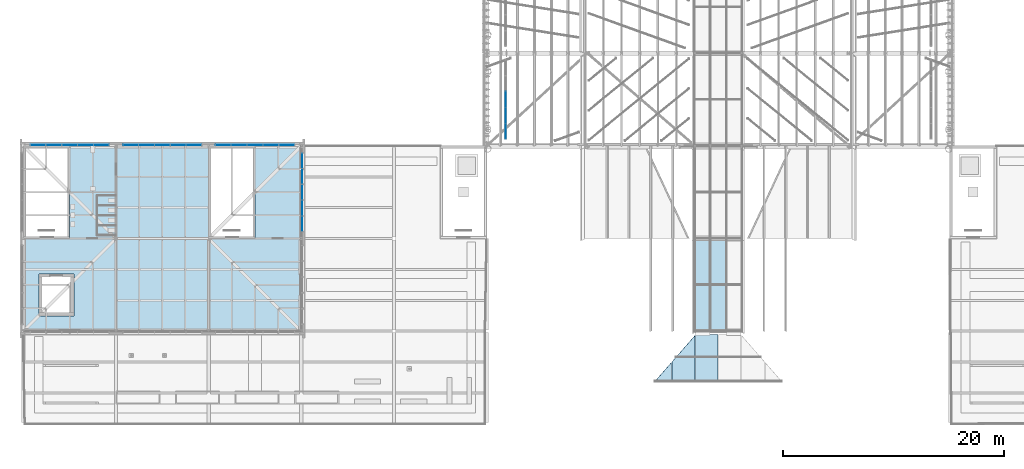
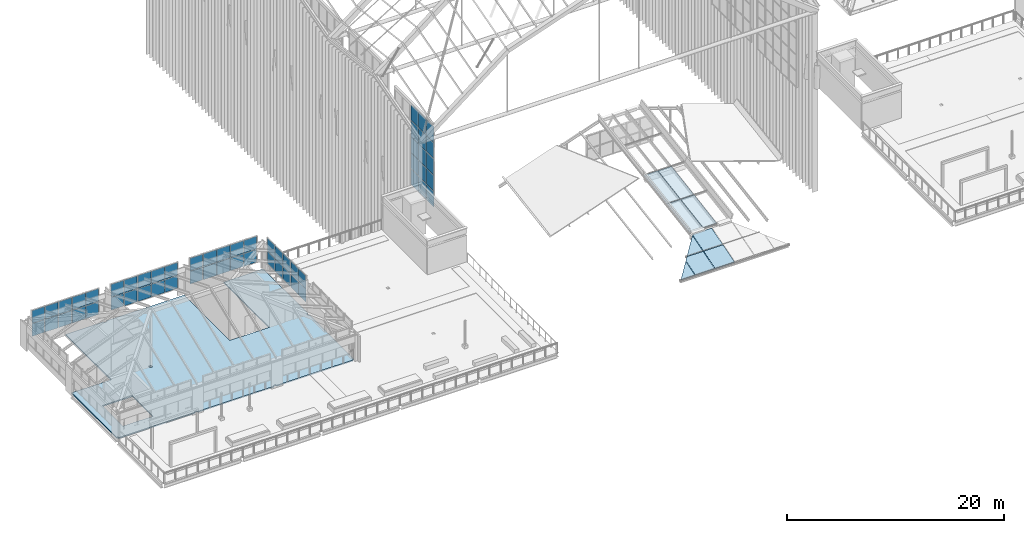
# One storey, part 70 of 126: 64 plates, 1 slab, 5 elements without a shape of their own.
"""IFC4 building model written with IfcOpenShell, lengths in metres."""

import ifcopenshell
import ifcopenshell.guid

model = None  # the IFC model being written
_history = None  # IfcOwnerHistory: only IFC2X3 demands one
_inside = {}  # id of a spatial element -> (the spatial element, [elements in it])
_under = {}  # id of a project, library or spatial element -> (it, [spatial elements below it])
_declared = {}  # id of a project -> (the project, [libraries it declares])
_typed = {}  # id of a type object -> (the type object, [elements of that type])
_made_of = {}  # id of a material, layer set ... -> (it, [elements and type objects made of it])


def new_model(schema):
    """Start an empty IFC model of exactly this schema.

    Asked for "IFC4X3", IfcOpenShell would pick the latest addendum, in which some entities
    have other attributes; the version numbers below select the first issue.
    IFC2X3 requires an IfcOwnerHistory on every rooted entity: one is made here for all.
    """
    global model, _history
    if schema == "IFC4X3":
        model = ifcopenshell.file(schema_version=(4, 3, 0, 0))
    else:
        model = ifcopenshell.file(schema=schema)
    _inside.clear()
    _under.clear()
    _declared.clear()
    _typed.clear()
    _made_of.clear()
    _history = None
    if model.schema == "IFC2X3":
        org = make("IfcOrganization", Name="unknown")
        user = make(
            "IfcPersonAndOrganization",
            ThePerson=make("IfcPerson", FamilyName="unknown"),
            TheOrganization=org,
        )
        app = make(
            "IfcApplication",
            ApplicationDeveloper=org,
            Version="unknown",
            ApplicationFullName="unknown",
            ApplicationIdentifier="unknown",
        )
        _history = make(
            "IfcOwnerHistory",
            OwningUser=user,
            OwningApplication=app,
            ChangeAction="ADDED",
            CreationDate=0,
        )
    return model


def make(cls, **values):
    """One entity of the class cls with the attributes given. An attribute that is None is left unset."""
    return model.create_entity(
        cls, **{name: value for name, value in values.items() if value is not None}
    )


def rooted(cls, **values):
    """An entity with a GlobalId (a new one), such as an element, a storey or a relation."""
    return make(cls, GlobalId=ifcopenshell.guid.new(), OwnerHistory=_history, **values)


def si_unit(unit_type, name, prefix=None):
    """IfcSIUnit, for example si_unit("LENGTHUNIT", "METRE", prefix="MILLI")."""
    return make("IfcSIUnit", UnitType=unit_type, Prefix=prefix, Name=name)


def assignment(units):
    """IfcUnitAssignment: the units of a project."""
    return None if units is None else make("IfcUnitAssignment", Units=units)


def point(xyz):
    """IfcCartesianPoint."""
    return None if xyz is None else make("IfcCartesianPoint", Coordinates=xyz)


def direction(xyz):
    """IfcDirection."""
    return None if xyz is None else make("IfcDirection", DirectionRatios=xyz)


def frame(location, z_axis=None, x_axis=None):
    """IfcAxis2Placement3D, a coordinate frame: its origin and axes. An axis left out is left unset."""
    return make(
        "IfcAxis2Placement3D",
        Location=point(location),
        Axis=direction(z_axis),
        RefDirection=direction(x_axis),
    )


def frame_2d(location, x_axis=None):
    """IfcAxis2Placement2D, a coordinate frame in the plane: its origin and x axis."""
    return make(
        "IfcAxis2Placement2D", Location=point(location), RefDirection=direction(x_axis)
    )


def origin():
    """The frame at (0, 0, 0) with its axes left unset."""
    return frame((0.0, 0.0, 0.0))


def origin_2d():
    """The frame at (0, 0) in the plane with its x axis left unset."""
    return frame_2d((0.0, 0.0))


def place(relative_to, where):
    """IfcLocalPlacement: puts the frame where relative to a parent placement (None: the world)."""
    return make(
        "IfcLocalPlacement", PlacementRelTo=relative_to, RelativePlacement=where
    )


def context(
    kind, dimensions, precision=None, world=None, true_north=None, identifier=None
):
    """IfcGeometricRepresentationContext, for example the 3D "Model" context."""
    return make(
        "IfcGeometricRepresentationContext",
        ContextIdentifier=identifier,
        ContextType=kind,
        CoordinateSpaceDimension=dimensions,
        Precision=precision,
        WorldCoordinateSystem=world,
        TrueNorth=true_north,
    )


def subcontext(parent, identifier, kind, view, scale=None):
    """IfcGeometricRepresentationSubContext, for example "Body" below "Model"."""
    return make(
        "IfcGeometricRepresentationSubContext",
        ContextIdentifier=identifier,
        ContextType=kind,
        ParentContext=parent,
        TargetScale=scale,
        TargetView=view,
    )


def project(units=None, contexts=None):
    """IfcProject with its units and contexts."""
    return rooted(
        "IfcProject",
        Name="project",
        RepresentationContexts=contexts,
        UnitsInContext=assignment(units),
    )


def spatial(cls, under=None, at=None, **own):
    """A site, building, storey or space (cls), placed at a placement, below another one or the project."""
    s = rooted(cls, ObjectPlacement=at, **own)
    if under is not None:
        _under.setdefault(under.id(), (under, []))[1].append(s)
    return s


def polyline(points):
    """IfcPolyline through the points."""
    return make("IfcPolyline", Points=[point(p) for p in points])


def profile(cls, at=None, kind="AREA", **sizes):
    """A parametric profile (cls). Its sizes go by their IFC names, for example OverallWidth=200.0."""
    return make(cls, ProfileType=kind, Position=at, **sizes)


def rectangle(**sizes):
    """IfcRectangleProfileDef."""
    return profile("IfcRectangleProfileDef", **sizes)


def outline(outer, holes=None, kind="AREA"):
    """IfcArbitraryClosedProfileDef: a profile drawn as a closed curve; with holes, ...WithVoids."""
    if holes is None:
        return make("IfcArbitraryClosedProfileDef", ProfileType=kind, OuterCurve=outer)
    return make(
        "IfcArbitraryProfileDefWithVoids",
        ProfileType=kind,
        OuterCurve=outer,
        InnerCurves=holes,
    )


def extrude(swept, where, along, depth):
    """IfcExtrudedAreaSolid: the profile swept, set in the frame where, extruded along a direction by depth."""
    return make(
        "IfcExtrudedAreaSolid",
        SweptArea=swept,
        Position=where,
        ExtrudedDirection=direction(along),
        Depth=depth,
    )


def shape(context_of_items, identifier, shape_type, items):
    """IfcShapeRepresentation: the items that make up one representation, for example the "Body"."""
    return make(
        "IfcShapeRepresentation",
        ContextOfItems=context_of_items,
        RepresentationIdentifier=identifier,
        RepresentationType=shape_type,
        Items=items,
    )


def material(Name=None, Category=None):
    """IfcMaterial."""
    return make("IfcMaterial", Name=Name, Category=Category)


def layer(
    of_material, thickness, ventilated=None, Name=None, Category=None, Priority=None
):
    """IfcMaterialLayer: one layer of a wall or slab, of a material (None: an air gap)."""
    return make(
        "IfcMaterialLayer",
        Material=of_material,
        LayerThickness=thickness,
        IsVentilated=ventilated,
        Name=Name,
        Category=Category,
        Priority=Priority,
    )


def layer_set(layers, Name=None):
    """IfcMaterialLayerSet."""
    return make("IfcMaterialLayerSet", MaterialLayers=layers, LayerSetName=Name)


def made_of(thing, what):
    """Note that an element or type object is made of a material, layer set ...; save() writes the relation."""
    if what is not None:
        _made_of.setdefault(what.id(), (what, []))[1].append(thing)
    return thing


def type_object(cls, material=None, **own):
    """A type object (cls), such as IfcWallType, which elements share."""
    return made_of(rooted(cls, **own), material)


def element(
    cls,
    number,
    at=None,
    inside=None,
    cuts=None,
    type_object=None,
    material=None,
    context=None,
    identifier="Body",
    shape_type=None,
    held_by="IfcProductDefinitionShape",
    body=None,
    shapes=None,
    **own,
):
    """One element of the class cls, such as IfcWall. Its Tag is "e" and its number.

    at: its placement. inside: the storey or other place that contains it. cuts: it is an
    opening in that element (IfcRelVoidsElement). A single representation is given by context,
    identifier, shape_type and body (its items); several are given by shapes. held_by: the class
    of the entity that holds the representations. save() writes the other relations.
    """
    e = rooted(cls, Tag="e%d" % number, ObjectPlacement=at, **own)
    if body is not None:
        shapes = [shape(context, identifier, shape_type, body)]
    if shapes is not None:
        e.Representation = make(held_by, Representations=shapes)
    if inside is not None:
        _inside.setdefault(inside.id(), (inside, []))[1].append(e)
    if cuts is not None:
        rooted(
            "IfcRelVoidsElement", RelatingBuildingElement=cuts, RelatedOpeningElement=e
        )
    if type_object is not None:
        _typed.setdefault(type_object.id(), (type_object, []))[1].append(e)
    return made_of(e, material)


def aggregate(whole, parts):
    """IfcRelAggregates: a whole, such as a stair, and the parts it consists of."""
    return rooted("IfcRelAggregates", RelatingObject=whole, RelatedObjects=parts)


def save(model, path):
    """Write the relations noted so far, then the file.

    IfcRelAggregates (storeys below a building ...), IfcRelContainedInSpatialStructure (elements
    in a storey), IfcRelDefinesByType, IfcRelAssociatesMaterial and IfcRelDeclares: one each for
    every whole, place, type object, material and project.
    """
    for whole, parts in _under.values():
        aggregate(whole, parts)
    for where, things in _inside.values():
        rooted(
            "IfcRelContainedInSpatialStructure",
            RelatedElements=things,
            RelatingStructure=where,
        )
    for kind, things in _typed.values():
        rooted("IfcRelDefinesByType", RelatedObjects=things, RelatingType=kind)
    for what, things in _made_of.values():
        rooted("IfcRelAssociatesMaterial", RelatedObjects=things, RelatingMaterial=what)
    for by, libraries in _declared.values():
        rooted("IfcRelDeclares", RelatingContext=by, RelatedDefinitions=libraries)
    model.write(path)


model = new_model("IFC4")

# Units and contexts
model_context = context("Model", 3, precision=1e-05, world=origin(), true_north=direction((0.0, 1.0)))
body_context = subcontext(model_context, "Body", "Model", "MODEL_VIEW")
ifc_project = project(units=[si_unit("LENGTHUNIT", "METRE"), si_unit("AREAUNIT", "SQUARE_METRE"), si_unit("VOLUMEUNIT", "CUBIC_METRE"), si_unit("PLANEANGLEUNIT", "RADIAN"), si_unit("MASSUNIT", "GRAM", prefix="KILO")], contexts=[model_context])

# Site, building, storey
site_placement = place(None, origin())
site = spatial("IfcSite", under=ifc_project, at=site_placement, CompositionType="ELEMENT")
building_placement = place(site_placement, origin())
building = spatial("IfcBuilding", under=site, at=building_placement, Name="Sava Quay Ferry Terminal", CompositionType="ELEMENT")
storey_placement = place(building_placement, frame((0.0, 0.0, 15.0)))
storey = spatial("IfcBuildingStorey", under=building, at=storey_placement, Name="L03", CompositionType="ELEMENT", Elevation=15.0)

# Slab
ifc_material_1 = material(Name="Concrete C30/37", Category="concrete")
ifc_layer_1 = layer(ifc_material_1, 0.1298828125)
ifc_layer_set_1 = layer_set([ifc_layer_1], Name="Concrete C30/37")
slab_type = type_object("IfcSlabType", Name="Composite floor slab 130", PredefinedType="FLOOR", material=ifc_layer_set_1)
slab_placement = place(storey_placement, frame((0.0, 0.0, -0.1298828125)))
element("IfcSlab", 1, at=slab_placement, inside=storey, type_object=slab_type, Name="W floor slab L03", PredefinedType="FLOOR", context=body_context, shape_type="SweptSolid", body=[
    extrude(outline(polyline([(25.06005859375, 33.739990234375), (25.06005859375, 33.60009765625), (16.93994140625, 33.60009765625), (16.93994140625, 33.739990234375), (16.659912109375, 33.739990234375), (16.659912109375, 33.60009765625), (8.5400390625, 33.60009765625), (8.5400390625, 33.739990234375), (8.260009765625, 33.739990234375), (8.260009765625, 33.60009765625), (0.139892578125, 33.60009765625), (0.139892578125, 33.739990234375), (0.0, 33.739990234375), (0.0, 42.0), (4.199951171875, 42.0), (4.199951171875, 50.39990234375), (8.260009765625, 50.39990234375), (8.260009765625, 50.260009765625), (8.5400390625, 50.260009765625), (8.5400390625, 50.39990234375), (16.800048828125, 50.39990234375), (16.800048828125, 42.0), (21.0, 42.0), (21.0, 50.39990234375), (25.06005859375, 50.39990234375), (25.06005859375, 50.260009765625), (25.199951171875, 50.260009765625), (25.199951171875, 42.139892578125), (25.06005859375, 42.139892578125), (25.06005859375, 41.860107421875), (25.199951171875, 41.860107421875), (25.199951171875, 33.739990234375), (25.06005859375, 33.739990234375)]), holes=[polyline([(1.39990234375, 35.0), (4.60009765625, 35.0), (4.60009765625, 38.800048828125), (1.39990234375, 38.800048828125), (1.39990234375, 35.0)]), polyline([(8.260009765625, 41.860107421875), (8.5400390625, 41.860107421875), (8.5400390625, 42.139892578125), (8.260009765625, 42.139892578125), (8.260009765625, 41.860107421875)])]), origin(), (0.0, 0.0, 1.0), 0.1298828125),
])

# Curtain wall, plates
ifc_material_2 = material(Name="Aluminium and glass curtain wall, double low-e glazed", Category="aluminium")
curtain_wall_type = type_object("IfcCurtainWallType", Name="Curtain wall CW-F flank", PredefinedType="NOTDEFINED", material=ifc_material_2)
curtain_wall_1_placement = place(storey_placement, origin())
curtain_wall_1 = element("IfcCurtainWall", 2, at=curtain_wall_1_placement, inside=storey, type_object=curtain_wall_type, Name="Curtain wall D-W L03 bay 1", PredefinedType="NOTDEFINED")
ifc_material_3 = material(Name="Laminated glass, double low-e glazed unit", Category="glass")
ifc_layer_2 = layer(ifc_material_3, 0.028076171875)
ifc_layer_set_2 = layer_set([ifc_layer_2], Name="Laminated glass, double low-e glazed unit")
plate_type_1 = type_object("IfcPlateType", Name="Glass panel 28 double low-e", PredefinedType="CURTAIN_PANEL", material=ifc_layer_set_2)
plate_1_placement = place(storey_placement, frame((43.72509765625, 51.735107421875, 0.050048828125), z_axis=(0.0, 0.0, 1.0), x_axis=(0.0, 1.0, 0.0)))
plate_1 = element("IfcPlate", 3, at=plate_1_placement, type_object=plate_type_1, Name="CW98 panel 1.1", PredefinedType="CURTAIN_PANEL", context=body_context, shape_type="SweptSolid", body=[
    extrude(rectangle(XDim=1.35009765625, YDim=0.028076171875, at=origin_2d()), origin(), (0.0, 0.0, 1.0), 1.7451171875),
])
plate_2_placement = place(storey_placement, frame((43.72509765625, 51.735107421875, 1.844970703125), z_axis=(0.0, 0.0, 1.0), x_axis=(0.0, 1.0, 0.0)))
plate_2 = element("IfcPlate", 4, at=plate_2_placement, type_object=plate_type_1, Name="CW98 panel 1.2", PredefinedType="CURTAIN_PANEL", context=body_context, shape_type="SweptSolid", body=[
    extrude(rectangle(XDim=1.35009765625, YDim=0.028076171875, at=origin_2d()), origin(), (0.0, 0.0, 1.0), 1.77001953125),
])
plate_3_placement = place(storey_placement, frame((43.72509765625, 51.735107421875, 3.6650390625), z_axis=(0.0, 0.0, 1.0), x_axis=(0.0, 1.0, 0.0)))
plate_3 = element("IfcPlate", 5, at=plate_3_placement, type_object=plate_type_1, Name="CW98 panel 1.3", PredefinedType="CURTAIN_PANEL", context=body_context, shape_type="SweptSolid", body=[
    extrude(rectangle(XDim=1.35009765625, YDim=0.028076171875, at=origin_2d()), origin(), (0.0, 0.0, 1.0), 1.77001953125),
])
plate_4_placement = place(storey_placement, frame((43.72509765625, 51.735107421875, 5.485107421875), z_axis=(0.0, 0.0, 1.0), x_axis=(0.0, 1.0, 0.0)))
plate_4 = element("IfcPlate", 6, at=plate_4_placement, type_object=plate_type_1, Name="CW98 panel 1.4", PredefinedType="CURTAIN_PANEL", context=body_context, shape_type="SweptSolid", body=[
    extrude(rectangle(XDim=1.35009765625, YDim=0.028076171875, at=origin_2d()), origin(), (0.0, 0.0, 1.0), 1.77001953125),
])
plate_5_placement = place(storey_placement, frame((43.72509765625, 51.735107421875, 7.304931640625), z_axis=(0.0, 0.0, 1.0), x_axis=(0.0, 1.0, 0.0)))
plate_5 = element("IfcPlate", 7, at=plate_5_placement, type_object=plate_type_1, Name="CW98 panel 1.5", PredefinedType="CURTAIN_PANEL", context=body_context, shape_type="SweptSolid", body=[
    extrude(rectangle(XDim=1.35009765625, YDim=0.028076171875, at=origin_2d()), origin(), (0.0, 0.0, 1.0), 1.7451171875),
])
plate_6_placement = place(storey_placement, frame((43.72509765625, 53.159912109375, 0.050048828125), z_axis=(0.0, 0.0, 1.0), x_axis=(0.0, 1.0, 0.0)))
plate_6 = element("IfcPlate", 8, at=plate_6_placement, type_object=plate_type_1, Name="CW98 panel 2.1", PredefinedType="CURTAIN_PANEL", context=body_context, shape_type="SweptSolid", body=[
    extrude(rectangle(XDim=1.3798828125, YDim=0.028076171875, at=origin_2d()), origin(), (0.0, 0.0, 1.0), 1.7451171875),
])
plate_7_placement = place(storey_placement, frame((43.72509765625, 53.159912109375, 1.844970703125), z_axis=(0.0, 0.0, 1.0), x_axis=(0.0, 1.0, 0.0)))
plate_7 = element("IfcPlate", 9, at=plate_7_placement, type_object=plate_type_1, Name="CW98 panel 2.2", PredefinedType="CURTAIN_PANEL", context=body_context, shape_type="SweptSolid", body=[
    extrude(rectangle(XDim=1.3798828125, YDim=0.028076171875, at=origin_2d()), origin(), (0.0, 0.0, 1.0), 1.77001953125),
])
plate_8_placement = place(storey_placement, frame((43.72509765625, 53.159912109375, 3.6650390625), z_axis=(0.0, 0.0, 1.0), x_axis=(0.0, 1.0, 0.0)))
plate_8 = element("IfcPlate", 10, at=plate_8_placement, type_object=plate_type_1, Name="CW98 panel 2.3", PredefinedType="CURTAIN_PANEL", context=body_context, shape_type="SweptSolid", body=[
    extrude(rectangle(XDim=1.3798828125, YDim=0.028076171875, at=origin_2d()), origin(), (0.0, 0.0, 1.0), 1.77001953125),
])
plate_9_placement = place(storey_placement, frame((43.72509765625, 53.159912109375, 5.485107421875), z_axis=(0.0, 0.0, 1.0), x_axis=(0.0, 1.0, 0.0)))
plate_9 = element("IfcPlate", 11, at=plate_9_placement, type_object=plate_type_1, Name="CW98 panel 2.4", PredefinedType="CURTAIN_PANEL", context=body_context, shape_type="SweptSolid", body=[
    extrude(rectangle(XDim=1.3798828125, YDim=0.028076171875, at=origin_2d()), origin(), (0.0, 0.0, 1.0), 1.77001953125),
])
plate_10_placement = place(storey_placement, frame((43.72509765625, 53.159912109375, 7.304931640625), z_axis=(0.0, 0.0, 1.0), x_axis=(0.0, 1.0, 0.0)))
plate_10 = element("IfcPlate", 12, at=plate_10_placement, type_object=plate_type_1, Name="CW98 panel 2.5", PredefinedType="CURTAIN_PANEL", context=body_context, shape_type="SweptSolid", body=[
    extrude(rectangle(XDim=1.3798828125, YDim=0.028076171875, at=origin_2d()), origin(), (0.0, 0.0, 1.0), 1.7451171875),
])
plate_11_placement = place(storey_placement, frame((43.72509765625, 54.60009765625, 0.050048828125), z_axis=(0.0, 0.0, 1.0), x_axis=(0.0, 1.0, 0.0)))
plate_11 = element("IfcPlate", 13, at=plate_11_placement, type_object=plate_type_1, Name="CW98 panel 3.1", PredefinedType="CURTAIN_PANEL", context=body_context, shape_type="SweptSolid", body=[
    extrude(rectangle(XDim=1.3798828125, YDim=0.028076171875, at=origin_2d()), origin(), (0.0, 0.0, 1.0), 1.7451171875),
])
plate_12_placement = place(storey_placement, frame((43.72509765625, 54.60009765625, 1.844970703125), z_axis=(0.0, 0.0, 1.0), x_axis=(0.0, 1.0, 0.0)))
plate_12 = element("IfcPlate", 14, at=plate_12_placement, type_object=plate_type_1, Name="CW98 panel 3.2", PredefinedType="CURTAIN_PANEL", context=body_context, shape_type="SweptSolid", body=[
    extrude(rectangle(XDim=1.3798828125, YDim=0.028076171875, at=origin_2d()), origin(), (0.0, 0.0, 1.0), 1.77001953125),
])
plate_13_placement = place(storey_placement, frame((43.72509765625, 54.60009765625, 3.6650390625), z_axis=(0.0, 0.0, 1.0), x_axis=(0.0, 1.0, 0.0)))
plate_13 = element("IfcPlate", 15, at=plate_13_placement, type_object=plate_type_1, Name="CW98 panel 3.3", PredefinedType="CURTAIN_PANEL", context=body_context, shape_type="SweptSolid", body=[
    extrude(rectangle(XDim=1.3798828125, YDim=0.028076171875, at=origin_2d()), origin(), (0.0, 0.0, 1.0), 1.77001953125),
])
plate_14_placement = place(storey_placement, frame((43.72509765625, 54.60009765625, 5.485107421875), z_axis=(0.0, 0.0, 1.0), x_axis=(0.0, 1.0, 0.0)))
plate_14 = element("IfcPlate", 16, at=plate_14_placement, type_object=plate_type_1, Name="CW98 panel 3.4", PredefinedType="CURTAIN_PANEL", context=body_context, shape_type="SweptSolid", body=[
    extrude(rectangle(XDim=1.3798828125, YDim=0.028076171875, at=origin_2d()), origin(), (0.0, 0.0, 1.0), 1.77001953125),
])
plate_15_placement = place(storey_placement, frame((43.72509765625, 54.60009765625, 7.304931640625), z_axis=(0.0, 0.0, 1.0), x_axis=(0.0, 1.0, 0.0)))
plate_15 = element("IfcPlate", 17, at=plate_15_placement, type_object=plate_type_1, Name="CW98 panel 3.5", PredefinedType="CURTAIN_PANEL", context=body_context, shape_type="SweptSolid", body=[
    extrude(rectangle(XDim=1.3798828125, YDim=0.028076171875, at=origin_2d()), origin(), (0.0, 0.0, 1.0), 1.7451171875),
])
aggregate(curtain_wall_1, [plate_1, plate_2, plate_3, plate_4, plate_5, plate_6, plate_7, plate_8, plate_9, plate_10, plate_11, plate_12, plate_13, plate_14, plate_15])

curtain_wall_2_placement = place(storey_placement, origin())
curtain_wall_2 = element("IfcCurtainWall", 18, at=curtain_wall_2_placement, inside=storey, type_object=curtain_wall_type, Name="Curtain wall W-PAV-E L03 bay 2", PredefinedType="NOTDEFINED")
plate_16_placement = place(storey_placement, frame((25.284912109375, 43.3349609375, 0.9501953125), z_axis=(0.0, 0.0, 1.0), x_axis=(0.0, 1.0, 0.0)))
plate_16 = element("IfcPlate", 19, at=plate_16_placement, type_object=plate_type_1, Name="CW122 panel 1.1", PredefinedType="CURTAIN_PANEL", context=body_context, shape_type="SweptSolid", body=[
    extrude(rectangle(XDim=1.35009765625, YDim=0.028076171875, at=origin_2d()), origin(), (0.0, 0.0, 1.0), 1.425048828125),
])
plate_17_placement = place(storey_placement, frame((25.284912109375, 43.3349609375, 2.4248046875), z_axis=(0.0, 0.0, 1.0), x_axis=(0.0, 1.0, 0.0)))
plate_17 = element("IfcPlate", 20, at=plate_17_placement, type_object=plate_type_1, Name="CW122 panel 1.2", PredefinedType="CURTAIN_PANEL", context=body_context, shape_type="SweptSolid", body=[
    extrude(rectangle(XDim=1.35009765625, YDim=0.028076171875, at=origin_2d()), origin(), (0.0, 0.0, 1.0), 1.425048828125),
])
plate_18_placement = place(storey_placement, frame((25.284912109375, 44.760009765625, 0.9501953125), z_axis=(0.0, 0.0, 1.0), x_axis=(0.0, 1.0, 0.0)))
plate_18 = element("IfcPlate", 21, at=plate_18_placement, type_object=plate_type_1, Name="CW122 panel 2.1", PredefinedType="CURTAIN_PANEL", context=body_context, shape_type="SweptSolid", body=[
    extrude(rectangle(XDim=1.3798828125, YDim=0.028076171875, at=origin_2d()), origin(), (0.0, 0.0, 1.0), 1.425048828125),
])
plate_19_placement = place(storey_placement, frame((25.284912109375, 44.760009765625, 2.4248046875), z_axis=(0.0, 0.0, 1.0), x_axis=(0.0, 1.0, 0.0)))
plate_19 = element("IfcPlate", 22, at=plate_19_placement, type_object=plate_type_1, Name="CW122 panel 2.2", PredefinedType="CURTAIN_PANEL", context=body_context, shape_type="SweptSolid", body=[
    extrude(rectangle(XDim=1.3798828125, YDim=0.028076171875, at=origin_2d()), origin(), (0.0, 0.0, 1.0), 1.425048828125),
])
plate_20_placement = place(storey_placement, frame((25.284912109375, 46.199951171875, 0.9501953125), z_axis=(0.0, 0.0, 1.0), x_axis=(0.0, 1.0, 0.0)))
plate_20 = element("IfcPlate", 23, at=plate_20_placement, type_object=plate_type_1, Name="CW122 panel 3.1", PredefinedType="CURTAIN_PANEL", context=body_context, shape_type="SweptSolid", body=[
    extrude(rectangle(XDim=1.3798828125, YDim=0.028076171875, at=origin_2d()), origin(), (0.0, 0.0, 1.0), 1.425048828125),
])
plate_21_placement = place(storey_placement, frame((25.284912109375, 46.199951171875, 2.4248046875), z_axis=(0.0, 0.0, 1.0), x_axis=(0.0, 1.0, 0.0)))
plate_21 = element("IfcPlate", 24, at=plate_21_placement, type_object=plate_type_1, Name="CW122 panel 3.2", PredefinedType="CURTAIN_PANEL", context=body_context, shape_type="SweptSolid", body=[
    extrude(rectangle(XDim=1.3798828125, YDim=0.028076171875, at=origin_2d()), origin(), (0.0, 0.0, 1.0), 1.425048828125),
])
plate_22_placement = place(storey_placement, frame((25.284912109375, 47.639892578125, 0.9501953125), z_axis=(0.0, 0.0, 1.0), x_axis=(0.0, 1.0, 0.0)))
plate_22 = element("IfcPlate", 25, at=plate_22_placement, type_object=plate_type_1, Name="CW122 panel 4.1", PredefinedType="CURTAIN_PANEL", context=body_context, shape_type="SweptSolid", body=[
    extrude(rectangle(XDim=1.3798828125, YDim=0.028076171875, at=origin_2d()), origin(), (0.0, 0.0, 1.0), 1.425048828125),
])
plate_23_placement = place(storey_placement, frame((25.284912109375, 47.639892578125, 2.4248046875), z_axis=(0.0, 0.0, 1.0), x_axis=(0.0, 1.0, 0.0)))
plate_23 = element("IfcPlate", 26, at=plate_23_placement, type_object=plate_type_1, Name="CW122 panel 4.2", PredefinedType="CURTAIN_PANEL", context=body_context, shape_type="SweptSolid", body=[
    extrude(rectangle(XDim=1.3798828125, YDim=0.028076171875, at=origin_2d()), origin(), (0.0, 0.0, 1.0), 1.425048828125),
])
plate_24_placement = place(storey_placement, frame((25.284912109375, 49.06494140625, 0.9501953125), z_axis=(0.0, 0.0, 1.0), x_axis=(0.0, 1.0, 0.0)))
plate_24 = element("IfcPlate", 27, at=plate_24_placement, type_object=plate_type_1, Name="CW122 panel 5.1", PredefinedType="CURTAIN_PANEL", context=body_context, shape_type="SweptSolid", body=[
    extrude(rectangle(XDim=1.35009765625, YDim=0.028076171875, at=origin_2d()), origin(), (0.0, 0.0, 1.0), 1.425048828125),
])
plate_25_placement = place(storey_placement, frame((25.284912109375, 49.06494140625, 2.4248046875), z_axis=(0.0, 0.0, 1.0), x_axis=(0.0, 1.0, 0.0)))
plate_25 = element("IfcPlate", 28, at=plate_25_placement, type_object=plate_type_1, Name="CW122 panel 5.2", PredefinedType="CURTAIN_PANEL", context=body_context, shape_type="SweptSolid", body=[
    extrude(rectangle(XDim=1.35009765625, YDim=0.028076171875, at=origin_2d()), origin(), (0.0, 0.0, 1.0), 1.425048828125),
])
aggregate(curtain_wall_2, [plate_16, plate_17, plate_18, plate_19, plate_20, plate_21, plate_22, plate_23, plate_24, plate_25])

curtain_wall_3_placement = place(storey_placement, origin())
curtain_wall_3 = element("IfcCurtainWall", 29, at=curtain_wall_3_placement, inside=storey, type_object=curtain_wall_type, Name="Curtain wall W-PAV-N L03 bay 1", PredefinedType="NOTDEFINED")
plate_26_placement = place(storey_placement, frame((1.3349609375, 50.485107421875, 0.9501953125), z_axis=(0.0, 0.0, 1.0), x_axis=(1.0, 0.0, 0.0)))
plate_26 = element("IfcPlate", 30, at=plate_26_placement, type_object=plate_type_1, Name="CW123 panel 1.1", PredefinedType="CURTAIN_PANEL", context=body_context, shape_type="SweptSolid", body=[
    extrude(rectangle(XDim=1.35009765625, YDim=0.028076171875, at=origin_2d()), origin(), (0.0, 0.0, 1.0), 1.425048828125),
])
plate_27_placement = place(storey_placement, frame((1.3349609375, 50.485107421875, 2.4248046875), z_axis=(0.0, 0.0, 1.0), x_axis=(1.0, 0.0, 0.0)))
plate_27 = element("IfcPlate", 31, at=plate_27_placement, type_object=plate_type_1, Name="CW123 panel 1.2", PredefinedType="CURTAIN_PANEL", context=body_context, shape_type="SweptSolid", body=[
    extrude(rectangle(XDim=1.35009765625, YDim=0.028076171875, at=origin_2d()), origin(), (0.0, 0.0, 1.0), 1.425048828125),
])
plate_28_placement = place(storey_placement, frame((2.760009765625, 50.485107421875, 0.9501953125), z_axis=(0.0, 0.0, 1.0), x_axis=(1.0, 0.0, 0.0)))
plate_28 = element("IfcPlate", 32, at=plate_28_placement, type_object=plate_type_1, Name="CW123 panel 2.1", PredefinedType="CURTAIN_PANEL", context=body_context, shape_type="SweptSolid", body=[
    extrude(rectangle(XDim=1.3798828125, YDim=0.028076171875, at=origin_2d()), origin(), (0.0, 0.0, 1.0), 1.425048828125),
])
plate_29_placement = place(storey_placement, frame((2.760009765625, 50.485107421875, 2.4248046875), z_axis=(0.0, 0.0, 1.0), x_axis=(1.0, 0.0, 0.0)))
plate_29 = element("IfcPlate", 33, at=plate_29_placement, type_object=plate_type_1, Name="CW123 panel 2.2", PredefinedType="CURTAIN_PANEL", context=body_context, shape_type="SweptSolid", body=[
    extrude(rectangle(XDim=1.3798828125, YDim=0.028076171875, at=origin_2d()), origin(), (0.0, 0.0, 1.0), 1.425048828125),
])
plate_30_placement = place(storey_placement, frame((4.199951171875, 50.485107421875, 0.9501953125), z_axis=(0.0, 0.0, 1.0), x_axis=(1.0, 0.0, 0.0)))
plate_30 = element("IfcPlate", 34, at=plate_30_placement, type_object=plate_type_1, Name="CW123 panel 3.1", PredefinedType="CURTAIN_PANEL", context=body_context, shape_type="SweptSolid", body=[
    extrude(rectangle(XDim=1.3798828125, YDim=0.028076171875, at=origin_2d()), origin(), (0.0, 0.0, 1.0), 1.425048828125),
])
plate_31_placement = place(storey_placement, frame((4.199951171875, 50.485107421875, 2.4248046875), z_axis=(0.0, 0.0, 1.0), x_axis=(1.0, 0.0, 0.0)))
plate_31 = element("IfcPlate", 35, at=plate_31_placement, type_object=plate_type_1, Name="CW123 panel 3.2", PredefinedType="CURTAIN_PANEL", context=body_context, shape_type="SweptSolid", body=[
    extrude(rectangle(XDim=1.3798828125, YDim=0.028076171875, at=origin_2d()), origin(), (0.0, 0.0, 1.0), 1.425048828125),
])
plate_32_placement = place(storey_placement, frame((5.639892578125, 50.485107421875, 0.9501953125), z_axis=(0.0, 0.0, 1.0), x_axis=(1.0, 0.0, 0.0)))
plate_32 = element("IfcPlate", 36, at=plate_32_placement, type_object=plate_type_1, Name="CW123 panel 4.1", PredefinedType="CURTAIN_PANEL", context=body_context, shape_type="SweptSolid", body=[
    extrude(rectangle(XDim=1.3798828125, YDim=0.028076171875, at=origin_2d()), origin(), (0.0, 0.0, 1.0), 1.425048828125),
])
plate_33_placement = place(storey_placement, frame((5.639892578125, 50.485107421875, 2.4248046875), z_axis=(0.0, 0.0, 1.0), x_axis=(1.0, 0.0, 0.0)))
plate_33 = element("IfcPlate", 37, at=plate_33_placement, type_object=plate_type_1, Name="CW123 panel 4.2", PredefinedType="CURTAIN_PANEL", context=body_context, shape_type="SweptSolid", body=[
    extrude(rectangle(XDim=1.3798828125, YDim=0.028076171875, at=origin_2d()), origin(), (0.0, 0.0, 1.0), 1.425048828125),
])
plate_34_placement = place(storey_placement, frame((7.06494140625, 50.485107421875, 0.9501953125), z_axis=(0.0, 0.0, 1.0), x_axis=(1.0, 0.0, 0.0)))
plate_34 = element("IfcPlate", 38, at=plate_34_placement, type_object=plate_type_1, Name="CW123 panel 5.1", PredefinedType="CURTAIN_PANEL", context=body_context, shape_type="SweptSolid", body=[
    extrude(rectangle(XDim=1.35009765625, YDim=0.028076171875, at=origin_2d()), origin(), (0.0, 0.0, 1.0), 1.425048828125),
])
plate_35_placement = place(storey_placement, frame((7.06494140625, 50.485107421875, 2.4248046875), z_axis=(0.0, 0.0, 1.0), x_axis=(1.0, 0.0, 0.0)))
plate_35 = element("IfcPlate", 39, at=plate_35_placement, type_object=plate_type_1, Name="CW123 panel 5.2", PredefinedType="CURTAIN_PANEL", context=body_context, shape_type="SweptSolid", body=[
    extrude(rectangle(XDim=1.35009765625, YDim=0.028076171875, at=origin_2d()), origin(), (0.0, 0.0, 1.0), 1.425048828125),
])
aggregate(curtain_wall_3, [plate_26, plate_27, plate_28, plate_29, plate_30, plate_31, plate_32, plate_33, plate_34, plate_35])

curtain_wall_4_placement = place(storey_placement, origin())
curtain_wall_4 = element("IfcCurtainWall", 40, at=curtain_wall_4_placement, inside=storey, type_object=curtain_wall_type, Name="Curtain wall W-PAV-N L03 bay 2", PredefinedType="NOTDEFINED")
plate_36_placement = place(storey_placement, frame((9.735107421875, 50.485107421875, 0.9501953125), z_axis=(0.0, 0.0, 1.0), x_axis=(1.0, 0.0, 0.0)))
plate_36 = element("IfcPlate", 41, at=plate_36_placement, type_object=plate_type_1, Name="CW124 panel 1.1", PredefinedType="CURTAIN_PANEL", context=body_context, shape_type="SweptSolid", body=[
    extrude(rectangle(XDim=1.35009765625, YDim=0.028076171875, at=origin_2d()), origin(), (0.0, 0.0, 1.0), 1.425048828125),
])
plate_37_placement = place(storey_placement, frame((9.735107421875, 50.485107421875, 2.4248046875), z_axis=(0.0, 0.0, 1.0), x_axis=(1.0, 0.0, 0.0)))
plate_37 = element("IfcPlate", 42, at=plate_37_placement, type_object=plate_type_1, Name="CW124 panel 1.2", PredefinedType="CURTAIN_PANEL", context=body_context, shape_type="SweptSolid", body=[
    extrude(rectangle(XDim=1.35009765625, YDim=0.028076171875, at=origin_2d()), origin(), (0.0, 0.0, 1.0), 1.425048828125),
])
plate_38_placement = place(storey_placement, frame((11.159912109375, 50.485107421875, 0.9501953125), z_axis=(0.0, 0.0, 1.0), x_axis=(1.0, 0.0, 0.0)))
plate_38 = element("IfcPlate", 43, at=plate_38_placement, type_object=plate_type_1, Name="CW124 panel 2.1", PredefinedType="CURTAIN_PANEL", context=body_context, shape_type="SweptSolid", body=[
    extrude(rectangle(XDim=1.3798828125, YDim=0.028076171875, at=origin_2d()), origin(), (0.0, 0.0, 1.0), 1.425048828125),
])
plate_39_placement = place(storey_placement, frame((11.159912109375, 50.485107421875, 2.4248046875), z_axis=(0.0, 0.0, 1.0), x_axis=(1.0, 0.0, 0.0)))
plate_39 = element("IfcPlate", 44, at=plate_39_placement, type_object=plate_type_1, Name="CW124 panel 2.2", PredefinedType="CURTAIN_PANEL", context=body_context, shape_type="SweptSolid", body=[
    extrude(rectangle(XDim=1.3798828125, YDim=0.028076171875, at=origin_2d()), origin(), (0.0, 0.0, 1.0), 1.425048828125),
])
plate_40_placement = place(storey_placement, frame((12.60009765625, 50.485107421875, 0.9501953125), z_axis=(0.0, 0.0, 1.0), x_axis=(1.0, 0.0, 0.0)))
plate_40 = element("IfcPlate", 45, at=plate_40_placement, type_object=plate_type_1, Name="CW124 panel 3.1", PredefinedType="CURTAIN_PANEL", context=body_context, shape_type="SweptSolid", body=[
    extrude(rectangle(XDim=1.3798828125, YDim=0.028076171875, at=origin_2d()), origin(), (0.0, 0.0, 1.0), 1.425048828125),
])
plate_41_placement = place(storey_placement, frame((12.60009765625, 50.485107421875, 2.4248046875), z_axis=(0.0, 0.0, 1.0), x_axis=(1.0, 0.0, 0.0)))
plate_41 = element("IfcPlate", 46, at=plate_41_placement, type_object=plate_type_1, Name="CW124 panel 3.2", PredefinedType="CURTAIN_PANEL", context=body_context, shape_type="SweptSolid", body=[
    extrude(rectangle(XDim=1.3798828125, YDim=0.028076171875, at=origin_2d()), origin(), (0.0, 0.0, 1.0), 1.425048828125),
])
plate_42_placement = place(storey_placement, frame((14.0400390625, 50.485107421875, 0.9501953125), z_axis=(0.0, 0.0, 1.0), x_axis=(1.0, 0.0, 0.0)))
plate_42 = element("IfcPlate", 47, at=plate_42_placement, type_object=plate_type_1, Name="CW124 panel 4.1", PredefinedType="CURTAIN_PANEL", context=body_context, shape_type="SweptSolid", body=[
    extrude(rectangle(XDim=1.3798828125, YDim=0.028076171875, at=origin_2d()), origin(), (0.0, 0.0, 1.0), 1.425048828125),
])
plate_43_placement = place(storey_placement, frame((14.0400390625, 50.485107421875, 2.4248046875), z_axis=(0.0, 0.0, 1.0), x_axis=(1.0, 0.0, 0.0)))
plate_43 = element("IfcPlate", 48, at=plate_43_placement, type_object=plate_type_1, Name="CW124 panel 4.2", PredefinedType="CURTAIN_PANEL", context=body_context, shape_type="SweptSolid", body=[
    extrude(rectangle(XDim=1.3798828125, YDim=0.028076171875, at=origin_2d()), origin(), (0.0, 0.0, 1.0), 1.425048828125),
])
plate_44_placement = place(storey_placement, frame((15.465087890625, 50.485107421875, 0.9501953125), z_axis=(0.0, 0.0, 1.0), x_axis=(1.0, 0.0, 0.0)))
plate_44 = element("IfcPlate", 49, at=plate_44_placement, type_object=plate_type_1, Name="CW124 panel 5.1", PredefinedType="CURTAIN_PANEL", context=body_context, shape_type="SweptSolid", body=[
    extrude(rectangle(XDim=1.35009765625, YDim=0.028076171875, at=origin_2d()), origin(), (0.0, 0.0, 1.0), 1.425048828125),
])
plate_45_placement = place(storey_placement, frame((15.465087890625, 50.485107421875, 2.4248046875), z_axis=(0.0, 0.0, 1.0), x_axis=(1.0, 0.0, 0.0)))
plate_45 = element("IfcPlate", 50, at=plate_45_placement, type_object=plate_type_1, Name="CW124 panel 5.2", PredefinedType="CURTAIN_PANEL", context=body_context, shape_type="SweptSolid", body=[
    extrude(rectangle(XDim=1.35009765625, YDim=0.028076171875, at=origin_2d()), origin(), (0.0, 0.0, 1.0), 1.425048828125),
])
aggregate(curtain_wall_4, [plate_36, plate_37, plate_38, plate_39, plate_40, plate_41, plate_42, plate_43, plate_44, plate_45])

curtain_wall_5_placement = place(storey_placement, origin())
curtain_wall_5 = element("IfcCurtainWall", 51, at=curtain_wall_5_placement, inside=storey, type_object=curtain_wall_type, Name="Curtain wall W-PAV-N L03 bay 3", PredefinedType="NOTDEFINED")
plate_46_placement = place(storey_placement, frame((18.135009765625, 50.485107421875, 0.9501953125), z_axis=(0.0, 0.0, 1.0), x_axis=(1.0, 0.0, 0.0)))
plate_46 = element("IfcPlate", 52, at=plate_46_placement, type_object=plate_type_1, Name="CW125 panel 1.1", PredefinedType="CURTAIN_PANEL", context=body_context, shape_type="SweptSolid", body=[
    extrude(rectangle(XDim=1.35009765625, YDim=0.028076171875, at=origin_2d()), origin(), (0.0, 0.0, 1.0), 1.425048828125),
])
plate_47_placement = place(storey_placement, frame((18.135009765625, 50.485107421875, 2.4248046875), z_axis=(0.0, 0.0, 1.0), x_axis=(1.0, 0.0, 0.0)))
plate_47 = element("IfcPlate", 53, at=plate_47_placement, type_object=plate_type_1, Name="CW125 panel 1.2", PredefinedType="CURTAIN_PANEL", context=body_context, shape_type="SweptSolid", body=[
    extrude(rectangle(XDim=1.35009765625, YDim=0.028076171875, at=origin_2d()), origin(), (0.0, 0.0, 1.0), 1.425048828125),
])
plate_48_placement = place(storey_placement, frame((19.56005859375, 50.485107421875, 0.9501953125), z_axis=(0.0, 0.0, 1.0), x_axis=(1.0, 0.0, 0.0)))
plate_48 = element("IfcPlate", 54, at=plate_48_placement, type_object=plate_type_1, Name="CW125 panel 2.1", PredefinedType="CURTAIN_PANEL", context=body_context, shape_type="SweptSolid", body=[
    extrude(rectangle(XDim=1.3798828125, YDim=0.028076171875, at=origin_2d()), origin(), (0.0, 0.0, 1.0), 1.425048828125),
])
plate_49_placement = place(storey_placement, frame((19.56005859375, 50.485107421875, 2.4248046875), z_axis=(0.0, 0.0, 1.0), x_axis=(1.0, 0.0, 0.0)))
plate_49 = element("IfcPlate", 55, at=plate_49_placement, type_object=plate_type_1, Name="CW125 panel 2.2", PredefinedType="CURTAIN_PANEL", context=body_context, shape_type="SweptSolid", body=[
    extrude(rectangle(XDim=1.3798828125, YDim=0.028076171875, at=origin_2d()), origin(), (0.0, 0.0, 1.0), 1.425048828125),
])
plate_50_placement = place(storey_placement, frame((21.0, 50.485107421875, 0.9501953125), z_axis=(0.0, 0.0, 1.0), x_axis=(1.0, 0.0, 0.0)))
plate_50 = element("IfcPlate", 56, at=plate_50_placement, type_object=plate_type_1, Name="CW125 panel 3.1", PredefinedType="CURTAIN_PANEL", context=body_context, shape_type="SweptSolid", body=[
    extrude(rectangle(XDim=1.3798828125, YDim=0.028076171875, at=origin_2d()), origin(), (0.0, 0.0, 1.0), 1.425048828125),
])
plate_51_placement = place(storey_placement, frame((21.0, 50.485107421875, 2.4248046875), z_axis=(0.0, 0.0, 1.0), x_axis=(1.0, 0.0, 0.0)))
plate_51 = element("IfcPlate", 57, at=plate_51_placement, type_object=plate_type_1, Name="CW125 panel 3.2", PredefinedType="CURTAIN_PANEL", context=body_context, shape_type="SweptSolid", body=[
    extrude(rectangle(XDim=1.3798828125, YDim=0.028076171875, at=origin_2d()), origin(), (0.0, 0.0, 1.0), 1.425048828125),
])
plate_52_placement = place(storey_placement, frame((22.43994140625, 50.485107421875, 0.9501953125), z_axis=(0.0, 0.0, 1.0), x_axis=(1.0, 0.0, 0.0)))
plate_52 = element("IfcPlate", 58, at=plate_52_placement, type_object=plate_type_1, Name="CW125 panel 4.1", PredefinedType="CURTAIN_PANEL", context=body_context, shape_type="SweptSolid", body=[
    extrude(rectangle(XDim=1.3798828125, YDim=0.028076171875, at=origin_2d()), origin(), (0.0, 0.0, 1.0), 1.425048828125),
])
plate_53_placement = place(storey_placement, frame((22.43994140625, 50.485107421875, 2.4248046875), z_axis=(0.0, 0.0, 1.0), x_axis=(1.0, 0.0, 0.0)))
plate_53 = element("IfcPlate", 59, at=plate_53_placement, type_object=plate_type_1, Name="CW125 panel 4.2", PredefinedType="CURTAIN_PANEL", context=body_context, shape_type="SweptSolid", body=[
    extrude(rectangle(XDim=1.3798828125, YDim=0.028076171875, at=origin_2d()), origin(), (0.0, 0.0, 1.0), 1.425048828125),
])
plate_54_placement = place(storey_placement, frame((23.864990234375, 50.485107421875, 0.9501953125), z_axis=(0.0, 0.0, 1.0), x_axis=(1.0, 0.0, 0.0)))
plate_54 = element("IfcPlate", 60, at=plate_54_placement, type_object=plate_type_1, Name="CW125 panel 5.1", PredefinedType="CURTAIN_PANEL", context=body_context, shape_type="SweptSolid", body=[
    extrude(rectangle(XDim=1.35009765625, YDim=0.028076171875, at=origin_2d()), origin(), (0.0, 0.0, 1.0), 1.425048828125),
])
plate_55_placement = place(storey_placement, frame((23.864990234375, 50.485107421875, 2.4248046875), z_axis=(0.0, 0.0, 1.0), x_axis=(1.0, 0.0, 0.0)))
plate_55 = element("IfcPlate", 61, at=plate_55_placement, type_object=plate_type_1, Name="CW125 panel 5.2", PredefinedType="CURTAIN_PANEL", context=body_context, shape_type="SweptSolid", body=[
    extrude(rectangle(XDim=1.35009765625, YDim=0.028076171875, at=origin_2d()), origin(), (0.0, 0.0, 1.0), 1.425048828125),
])
aggregate(curtain_wall_5, [plate_46, plate_47, plate_48, plate_49, plate_50, plate_51, plate_52, plate_53, plate_54, plate_55])

# Plates
ifc_material_4 = material(Name="Laminated glass", Category="glass")
ifc_layer_3 = layer(ifc_material_4, 0.0400390625)
ifc_layer_set_3 = layer_set([ifc_layer_3], Name="Laminated glass")
plate_type_2 = type_object("IfcPlateType", Name="Skylight glass 40", PredefinedType="SHEET", material=ifc_layer_set_3)
for number, where, z_axis, x_axis, name in (
    (62, (60.821044921875, 33.6201171875, 1.809814453125), (0.0, -0.158541918446, 0.987352247223), (0.0, 0.987352247223, 0.158541918446), "Arrivals hall skylight glass A-B0-F2-K00"),
    (63, (60.821044921875, 37.820068359375, 2.484375), (0.0, -0.158541918446, 0.987352247223), (0.0, 0.987352247223, 0.158541918446), "Arrivals hall skylight glass A-B0-F2-K01"),
):
    element("IfcPlate", number, at=place(storey_placement, frame(where, z_axis=z_axis, x_axis=x_axis)), inside=storey, type_object=plate_type_2, Name=name, PredefinedType="SHEET", context=body_context, shape_type="SweptSolid", body=[
        extrude(outline(polyline([(0.0, 0.0), (4.21319961652677, 0.0), (4.21319961652677, -1.4260253906250002), (0.0, -1.4260253906250002), (0.0, 0.0)])), origin(), (0.0, 0.0, -1.0), 0.0400390625),
    ])
for number, where, z_axis, x_axis, name in (
    (64, (62.287109375, 33.6201171875, 1.809814453125), (0.0, -0.158541918446, 0.987352247223), (0.0, 0.987352247223, 0.158541918446), "Arrivals hall skylight glass A-B0-F2-K10"),
    (65, (62.287109375, 37.820068359375, 2.484375), (0.0, -0.158541918446, 0.987352247223), (0.0, 0.987352247223, 0.158541918446), "Arrivals hall skylight glass A-B0-F2-K11"),
):
    element("IfcPlate", number, at=place(storey_placement, frame(where, z_axis=z_axis, x_axis=x_axis)), inside=storey, type_object=plate_type_2, Name=name, PredefinedType="SHEET", context=body_context, shape_type="SweptSolid", body=[
        extrude(outline(polyline([(0.0, 0.0), (4.21319961652677, 0.0), (4.21319961652677, -1.42578125), (0.0, -1.42578125), (0.0, 0.0)])), origin(), (0.0, 0.0, -1.0), 0.0400390625),
    ])
plate_56_placement = place(storey_placement, frame((58.780029296875, 29.075439453125, 0.46484375), z_axis=(0.0, -0.288019606851, 0.957624512045), x_axis=(-1.0, 0.0, 0.0)))
element("IfcPlate", 66, at=plate_56_placement, inside=storey, type_object=plate_type_2, Name="Arrivals hall stern glass AS-E-K3.5", PredefinedType="SHEET", context=body_context, shape_type="SweptSolid", body=[
    extrude(outline(polyline([(0.0, 0.0), (1.505615234375, 0.0), (0.0, -1.8004145383333023), (0.0, 0.0)])), origin(), (0.0, 0.0, -1.0), 0.0400390625),
])
plate_57_placement = place(storey_placement, frame((60.8798828125, 31.222900390625, 1.110595703125), z_axis=(1.0961451e-05, -0.287968641676, 0.957639839027), x_axis=(-1.8e-11, -0.957639839084, -0.287968641694)))
element("IfcPlate", 67, at=plate_57_placement, inside=storey, type_object=plate_type_2, Name="Arrivals hall stern glass AS-E-K4.5", PredefinedType="SHEET", context=body_context, shape_type="SweptSolid", body=[
    extrude(outline(polyline([(0.0, 0.0), (2.242450459439423, 0.0), (2.242450459475799, -2.059814453001253), (0.39437847890618205, -2.059814453489276), (3.0555510868825727e-11, -1.730224609271054), (0.0, 0.0)])), origin(), (0.0, 0.0, -1.0), 0.0400390625),
])
plate_58_placement = place(storey_placement, frame((60.8798828125, 31.260986328125, 1.1220703125), z_axis=(0.0, -0.28801004596, 0.957627387571), x_axis=(-1.0, 0.0, 0.0)))
element("IfcPlate", 68, at=plate_58_placement, inside=storey, type_object=plate_type_2, Name="Arrivals hall stern glass AS-E-K4.6", PredefinedType="SHEET", context=body_context, shape_type="SweptSolid", body=[
    extrude(outline(polyline([(0.0, 0.0), (1.69677734375, 0.0), (0.0, -2.0293481579818486), (0.0, 0.0)])), origin(), (0.0, 0.0, -1.0), 0.0400390625),
])
plate_59_placement = place(storey_placement, frame((60.919921875, 29.075439453125, 0.46484375), z_axis=(0.0, -0.287967098852, 0.957640303025), x_axis=(0.0, 0.957640303025, 0.287967098852)))
element("IfcPlate", 69, at=plate_59_placement, inside=storey, type_object=plate_type_2, Name="Arrivals hall stern glass AS-E-K5.5", PredefinedType="SHEET", context=body_context, shape_type="SweptSolid", body=[
    extrude(outline(polyline([(0.0, 0.0), (2.2424504594423333, 0.0), (2.2424504594423333, -2.06005859375), (0.0, -2.06005859375), (0.0, 0.0)])), origin(), (0.0, 0.0, -1.0), 0.0400390625),
])
plate_60_placement = place(storey_placement, frame((62.97998046875, 31.260986328125, 1.1220703125), z_axis=(7.615185e-06, -0.287937344247, 0.957649249846), x_axis=(-0.999999999971, -2.192696e-06, 7.292676e-06)))
element("IfcPlate", 70, at=plate_60_placement, inside=storey, type_object=plate_type_2, Name="Arrivals hall stern glass AS-E-K5.6", PredefinedType="SHEET", context=body_context, shape_type="SweptSolid", body=[
    extrude(outline(polyline([(0.0, 0.0), (2.060058593690268, 8.72468751090306e-22), (2.06005859392672, -2.077239399754506), (2.0173339843140288, -2.128217449224723), (-2.4776445060845933e-12, -2.128217449224723), (0.0, 0.0)])), origin(), (0.0, 0.0, -1.0), 0.0400390625),
])

save(model, "model.ifc")
